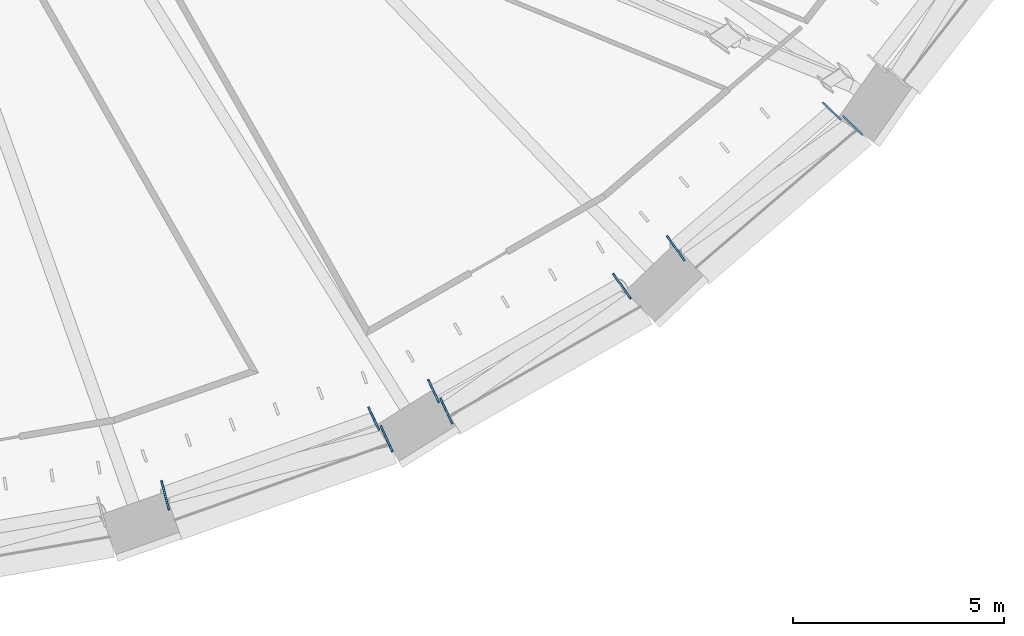
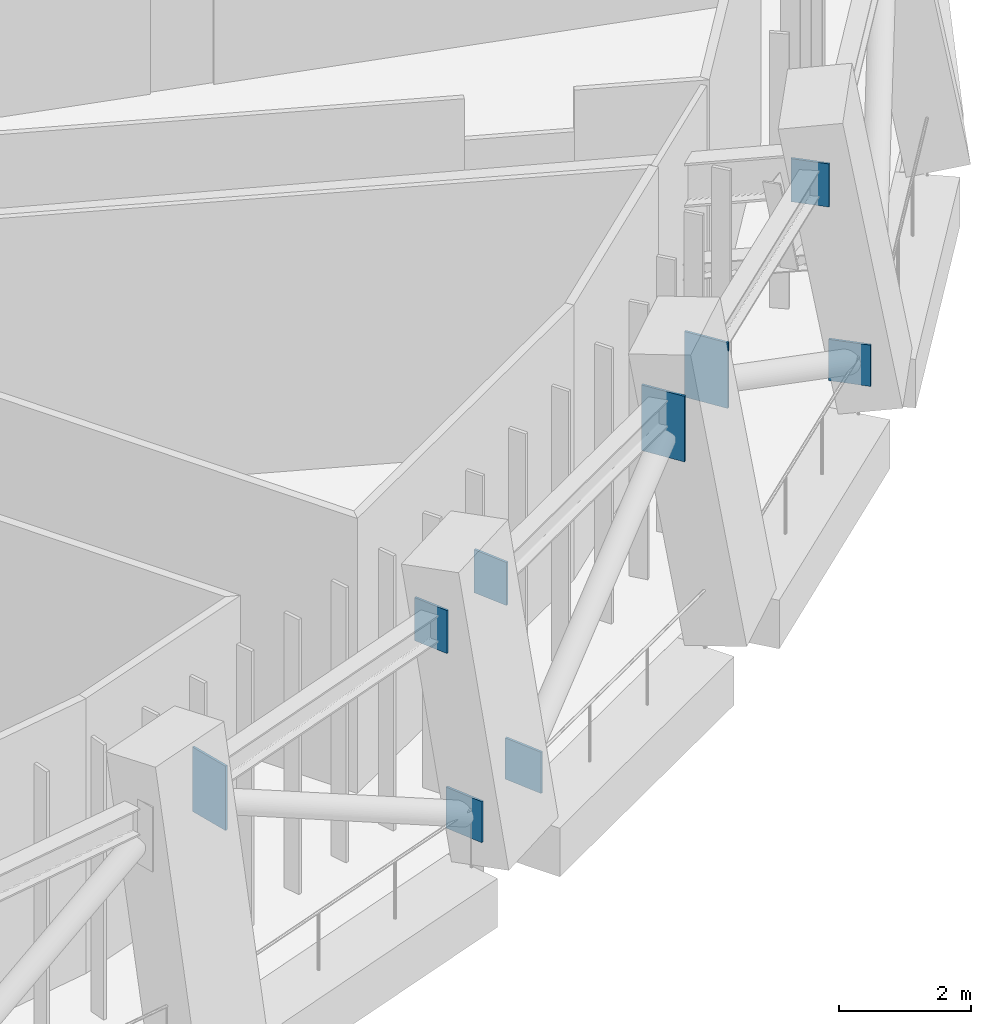
# One storey, part 14 of 22: 9 discrete accessories.
"""IFC4 building model written with IfcOpenShell, lengths in metres."""

from ifc_helpers import new_model, si_unit, direction, frame, origin, origin_2d, place, context, subcontext, project, spatial, rectangle, extrude, material, layer, layer_set, type_object, element, save


model = new_model("IFC4")

# Units and contexts
model_context = context("Model", 3, precision=1e-05, world=origin(), true_north=direction((0.0, 1.0)))
body_context = subcontext(model_context, "Body", "Model", "MODEL_VIEW")
ifc_project = project(units=[si_unit("LENGTHUNIT", "METRE"), si_unit("AREAUNIT", "SQUARE_METRE"), si_unit("VOLUMEUNIT", "CUBIC_METRE"), si_unit("PLANEANGLEUNIT", "RADIAN"), si_unit("MASSUNIT", "GRAM", prefix="KILO")], contexts=[model_context])

# Site, building, storey
site_placement = place(None, origin())
site = spatial("IfcSite", under=ifc_project, at=site_placement, CompositionType="ELEMENT")
building_placement = place(site_placement, origin())
building = spatial("IfcBuilding", under=site, at=building_placement, Name="Halqa Exchange Tower", CompositionType="ELEMENT")
storey_placement = place(building_placement, frame((0.0, 0.0, 99.10009765625)))
storey = spatial("IfcBuildingStorey", under=building, at=storey_placement, Name="L22", CompositionType="ELEMENT", Elevation=99.10009765625)

# Discrete accessories
ifc_material = material(Name="Steel S355", Category="steel")
ifc_layer = layer(ifc_material, 0.0400390625)
ifc_layer_set = layer_set([ifc_layer], Name="Steel S355")
discrete_accessory_type = type_object("IfcDiscreteAccessoryType", Name="Belt truss anchor plate 40", PredefinedType="ANCHORPLATE", material=ifc_layer_set)
discrete_accessory_1_placement = place(storey_placement, frame((11.03955078125, -28.922119140625, 4.05224609375), z_axis=(0.968324838627, 0.249693826313, 0.0), x_axis=(-0.249693826313, 0.968324838627, 0.0)))
element("IfcDiscreteAccessory", 1, at=discrete_accessory_1_placement, inside=storey, type_object=discrete_accessory_type, Name="Belt truss anchor plate", PredefinedType="ANCHORPLATE", context=body_context, shape_type="SweptSolid", body=[
    extrude(rectangle(XDim=0.719970703125, YDim=1.195068359375, at=origin_2d()), origin(), (0.0, 0.0, 1.0), 0.0400390625),
])
discrete_accessory_2_placement = place(storey_placement, frame((17.397705078125, -26.457275390625, 4.25), z_axis=(0.906339528383, 0.42255018553, 0.0), x_axis=(-0.42255018553, 0.906339528383, 0.0)))
element("IfcDiscreteAccessory", 2, at=discrete_accessory_2_placement, inside=storey, type_object=discrete_accessory_type, Name="Belt truss anchor plate", PredefinedType="ANCHORPLATE", context=body_context, shape_type="SweptSolid", body=[
    extrude(rectangle(XDim=0.60009765625, YDim=0.800048828125, at=origin_2d()), origin(), (0.0, 0.0, 1.0), 0.039794921875),
])
discrete_accessory_3_placement = place(storey_placement, frame((16.016357421875, -27.091552734375, 4.25), z_axis=(-0.90742390538, -0.420216439404, 0.0), x_axis=(0.420216439404, -0.90742390538, 0.0)))
element("IfcDiscreteAccessory", 3, at=discrete_accessory_3_placement, inside=storey, type_object=discrete_accessory_type, Name="Belt truss anchor plate", PredefinedType="ANCHORPLATE", context=body_context, shape_type="SweptSolid", body=[
    extrude(rectangle(XDim=0.60009765625, YDim=0.800048828125, at=origin_2d()), origin(), (0.0, 0.0, 1.0), 0.0400390625),
])
discrete_accessory_4_placement = place(storey_placement, frame((17.702392578125, -26.93310546875, 0.94091796875), z_axis=(0.90742390538, 0.420216439404, 0.0), x_axis=(-0.420216439404, 0.90742390538, 0.0)))
element("IfcDiscreteAccessory", 4, at=discrete_accessory_4_placement, inside=storey, type_object=discrete_accessory_type, Name="Belt truss anchor plate", PredefinedType="ANCHORPLATE", context=body_context, shape_type="SweptSolid", body=[
    extrude(rectangle(XDim=0.6689453125, YDim=0.76611328125, at=origin_2d()), origin(), (0.0, 0.0, 1.0), 0.0400390625),
])
discrete_accessory_5_placement = place(storey_placement, frame((16.322021484375, -27.569091796875, 0.9208984375), z_axis=(-0.91078189984, -0.412887794594, 0.0), x_axis=(0.412887794594, -0.91078189984, 0.0)))
element("IfcDiscreteAccessory", 5, at=discrete_accessory_5_placement, inside=storey, type_object=discrete_accessory_type, Name="Belt truss anchor plate", PredefinedType="ANCHORPLATE", context=body_context, shape_type="SweptSolid", body=[
    extrude(rectangle(XDim=0.675048828125, YDim=0.760986328125, at=origin_2d()), origin(), (0.0, 0.0, 1.0), 0.040283203125),
])
discrete_accessory_6_placement = place(storey_placement, frame((23.13818359375, -23.077392578125, 4.04150390625), z_axis=(0.81865747399, 0.57428210862, 0.0), x_axis=(-0.57428210862, 0.81865747399, 0.0)))
element("IfcDiscreteAccessory", 6, at=discrete_accessory_6_placement, inside=storey, type_object=discrete_accessory_type, Name="Belt truss anchor plate", PredefinedType="ANCHORPLATE", context=body_context, shape_type="SweptSolid", body=[
    extrude(rectangle(XDim=0.72705078125, YDim=1.217041015625, at=origin_2d()), origin(), (0.0, 0.0, 1.0), 0.0400390625),
])
discrete_accessory_7_placement = place(storey_placement, frame((21.8955078125, -23.952880859375, 4.04150390625), z_axis=(-0.81865747399, -0.57428210862, 0.0), x_axis=(0.57428210862, -0.81865747399, 0.0)))
element("IfcDiscreteAccessory", 7, at=discrete_accessory_7_placement, inside=storey, type_object=discrete_accessory_type, Name="Belt truss anchor plate", PredefinedType="ANCHORPLATE", context=body_context, shape_type="SweptSolid", body=[
    extrude(rectangle(XDim=0.72509765625, YDim=1.217041015625, at=origin_2d()), origin(), (0.0, 0.0, 1.0), 0.0400390625),
])
discrete_accessory_8_placement = place(storey_placement, frame((26.863037109375, -19.80126953125, 4.25), z_axis=(-0.691639439628, -0.722242954656, 0.0), x_axis=(0.722242954656, -0.691639439628, 0.0)))
element("IfcDiscreteAccessory", 8, at=discrete_accessory_8_placement, inside=storey, type_object=discrete_accessory_type, Name="Belt truss anchor plate", PredefinedType="ANCHORPLATE", context=body_context, shape_type="SweptSolid", body=[
    extrude(rectangle(XDim=0.60009765625, YDim=0.800048828125, at=origin_2d()), origin(), (0.0, 0.0, 1.0), 0.039794921875),
])
discrete_accessory_9_placement = place(storey_placement, frame((27.3623046875, -20.142822265625, 0.94189453125), z_axis=(-0.691639439628, -0.722242954656, 0.0), x_axis=(0.722242954656, -0.691639439628, 0.0)))
element("IfcDiscreteAccessory", 9, at=discrete_accessory_9_placement, inside=storey, type_object=discrete_accessory_type, Name="Belt truss anchor plate", PredefinedType="ANCHORPLATE", context=body_context, shape_type="SweptSolid", body=[
    extrude(rectangle(XDim=0.659912109375, YDim=0.76611328125, at=origin_2d()), origin(), (0.0, 0.0, 1.0), 0.039794921875),
])

save(model, "model.ifc")
